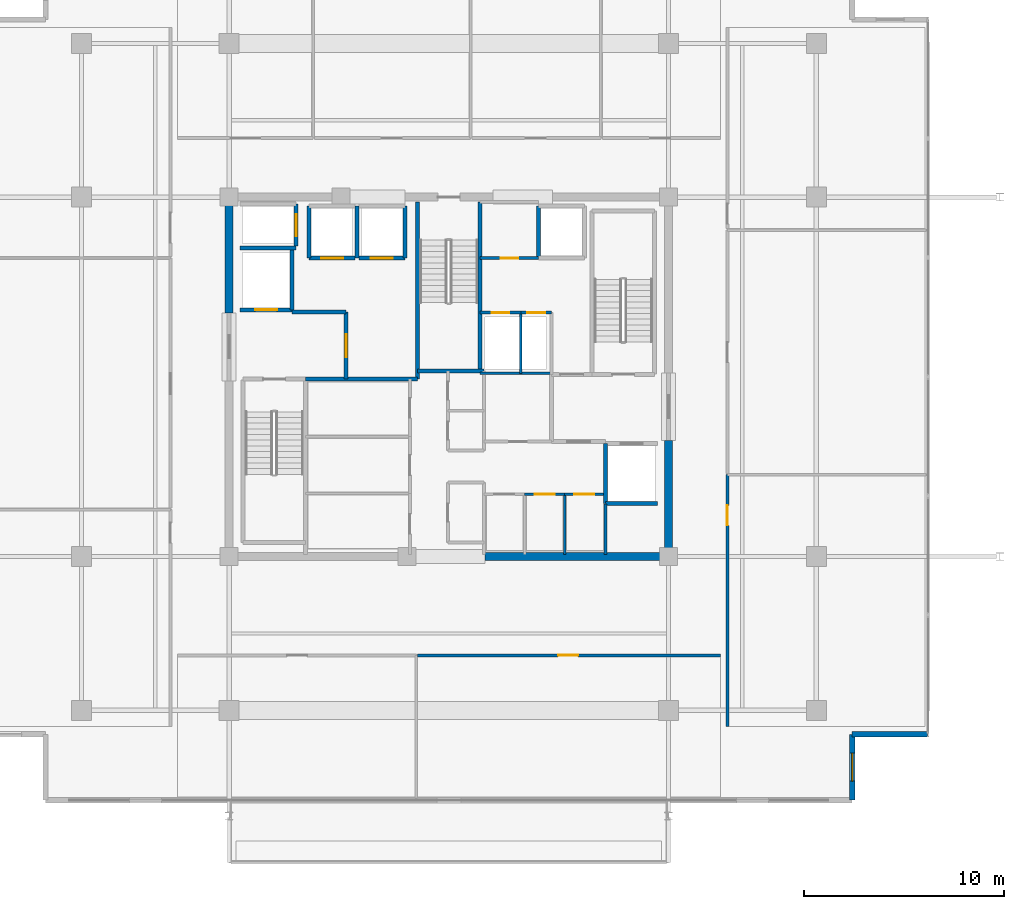
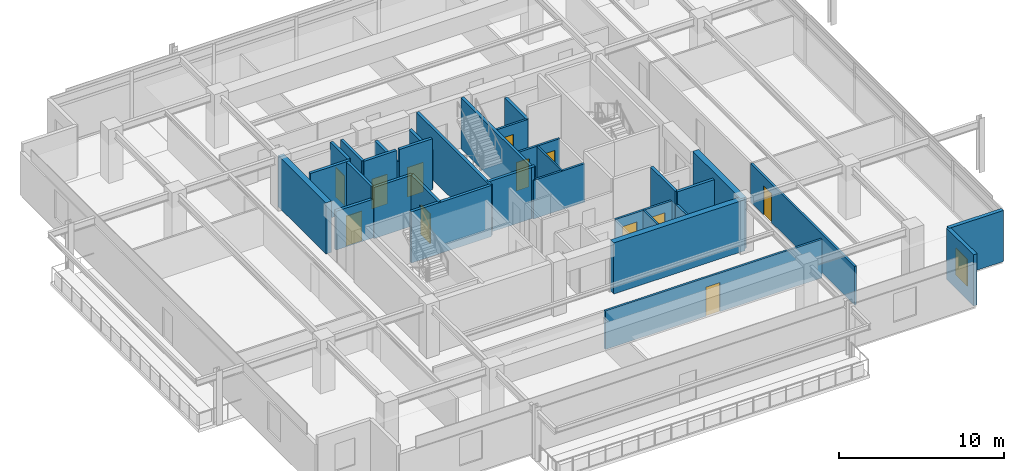
# One storey, part 14 of 20: 34 walls, 12 doors, 1 window, 13 openings.
"""IFC4 building model written with IfcOpenShell, lengths in metres."""

from ifc_helpers import new_model, si_unit, direction, frame, frame_2d, origin, place, context, subcontext, project, spatial, rectangle, extrude, material, layer, layer_set, type_object, element, fill, save


model = new_model("IFC4")

# Units and contexts
model_context = context("Model", 3, precision=1e-05, world=origin(), true_north=direction((0.0, 1.0)))
body_context = subcontext(model_context, "Body", "Model", "MODEL_VIEW")
ifc_project = project(units=[si_unit("LENGTHUNIT", "METRE"), si_unit("AREAUNIT", "SQUARE_METRE"), si_unit("VOLUMEUNIT", "CUBIC_METRE"), si_unit("PLANEANGLEUNIT", "RADIAN"), si_unit("MASSUNIT", "GRAM", prefix="KILO")], contexts=[model_context])

# Site, building, storey
site_placement = place(None, origin())
site = spatial("IfcSite", under=ifc_project, at=site_placement, CompositionType="ELEMENT")
building_placement = place(site_placement, origin())
building = spatial("IfcBuilding", under=site, at=building_placement, Name="Kovane Verandah Tower", CompositionType="ELEMENT")
storey_placement = place(building_placement, frame((0.0, 0.0, 306.800048828125)))
storey = spatial("IfcBuildingStorey", under=building, at=storey_placement, Name="L71", CompositionType="ELEMENT", Elevation=306.800048828125)

# Walls
ifc_material_1 = material(Name="Fire-Rated Gypsum Stud Partition", Category="gypsum")
ifc_layer_1 = layer(ifc_material_1, 0.14990234375)
ifc_layer_set_1 = layer_set([ifc_layer_1], Name="Fire-Rated Gypsum Stud Partition")
wall_type_1 = type_object("IfcWallType", Name="WL-COR-150", PredefinedType="PARTITIONING", material=ifc_layer_set_1)
wall_1_placement = place(storey_placement, frame((41.56005859375, 27.679931640625, 0.0), z_axis=(0.0, 0.0, 1.0), x_axis=(1.0, 0.0, 0.0)))
element("IfcWall", 1, at=wall_1_placement, inside=storey, type_object=wall_type_1, Name="L71 East Core Service Riser South Wall", PredefinedType="PARTITIONING", context=body_context, shape_type="SweptSolid", body=[
    extrude(rectangle(XDim=3.58984375, YDim=0.14990234375, at=frame_2d((1.794921875, 0.0))), origin(), (0.0, 0.0, 1.0), 2.849853515625),
])
wall_2_placement = place(storey_placement, frame((47.85009765625, 18.60009765625, 0.0), z_axis=(0.0, 0.0, 1.0), x_axis=(0.0, 1.0, 0.0)))
element("IfcWall", 2, at=wall_2_placement, inside=storey, type_object=wall_type_1, Name="L71 East Core Support East Wall", PredefinedType="PARTITIONING", context=body_context, shape_type="SweptSolid", body=[
    extrude(rectangle(XDim=2.539794921875, YDim=0.14990234375, at=frame_2d((1.27001953125, 0.0))), origin(), (0.0, 0.0, 1.0), 2.849853515625),
])

# Wall, opening, door
wall_3_placement = place(storey_placement, frame((43.800048828125, 21.6201171875, 0.0), z_axis=(0.0, 0.0, 1.0), x_axis=(1.0, 0.0, 0.0)))
wall_3 = element("IfcWall", 3, at=wall_3_placement, inside=storey, type_object=wall_type_1, Name="L71 First Aid Room Partition", PredefinedType="PARTITIONING", context=body_context, shape_type="SweptSolid", body=[
    extrude(rectangle(XDim=2.0, YDim=0.14990234375, at=frame_2d((1.0, 0.0))), origin(), (0.0, 0.0, 1.0), 2.849853515625),
])
opening_1_placement = place(wall_3_placement, frame((0.5, 0.0, 0.0)))
opening_1 = element("IfcOpeningElement", 4, at=opening_1_placement, cuts=wall_3, Name="Opening DR-L71-018", PredefinedType="OPENING", context=body_context, shape_type="SweptSolid", body=[
    extrude(rectangle(XDim=1.0, YDim=2.14990234375, at=frame_2d((0.5, 1.074951171875))), frame((0.0, 0.074951171875, 0.0), z_axis=(0.0, -1.0, 0.0), x_axis=(1.0, 0.0, 0.0)), (0.0, 0.0, 1.0), 0.14990234375),
])
ifc_material_2 = material(Name="FSC Spotted-Gum Timber Fire-Rated Office Door", Category="wood")
door_type_1 = type_object("IfcDoorType", Name="DR-OFF-1000", OperationType="SINGLE_SWING_LEFT", PredefinedType="DOOR", material=ifc_material_2)
door_1_placement = place(opening_1_placement, origin())
door_1 = element("IfcDoor", 5, at=door_1_placement, inside=storey, type_object=door_type_1, Name="L71 First Aid Room Door", OperationType="SINGLE_SWING_LEFT", OverallHeight=2.14990234375, OverallWidth=1.0, PredefinedType="DOOR", context=body_context, shape_type="SweptSolid", body=[
    extrude(rectangle(XDim=1.0, YDim=2.14990234375, at=frame_2d((0.5, 1.074951171875))), frame((0.0, 0.02490234375, 0.0), z_axis=(0.0, -1.0, 0.0), x_axis=(1.0, 0.0, 0.0)), (0.0, 0.0, 1.0), 0.050048828125),
])
fill(opening_1, door_1)

wall_4_placement = place(storey_placement, frame((45.800048828125, 21.6201171875, 0.0), z_axis=(0.0, 0.0, 1.0), x_axis=(1.0, 0.0, 0.0)))
wall_4 = element("IfcWall", 6, at=wall_4_placement, inside=storey, type_object=wall_type_1, Name="L71 Quiet Wellness Room Partition", PredefinedType="PARTITIONING", context=body_context, shape_type="SweptSolid", body=[
    extrude(rectangle(XDim=1.93994140625, YDim=0.14990234375, at=frame_2d((0.969970703125, 0.0))), origin(), (0.0, 0.0, 1.0), 2.849853515625),
])
opening_2_placement = place(wall_4_placement, frame((0.469970703125, 0.0, 0.0)))
opening_2 = element("IfcOpeningElement", 7, at=opening_2_placement, cuts=wall_4, Name="Opening DR-L71-019", PredefinedType="OPENING", context=body_context, shape_type="SweptSolid", body=[
    extrude(rectangle(XDim=1.0, YDim=2.14990234375, at=frame_2d((0.5, 1.074951171875))), frame((0.0, 0.074951171875, 0.0), z_axis=(0.0, -1.0, 0.0), x_axis=(1.0, 0.0, 0.0)), (0.0, 0.0, 1.0), 0.14990234375),
])
door_2_placement = place(opening_2_placement, origin())
door_2 = element("IfcDoor", 8, at=door_2_placement, inside=storey, type_object=door_type_1, Name="L71 Quiet Wellness Room Door", OperationType="SINGLE_SWING_RIGHT", OverallHeight=2.14990234375, OverallWidth=1.0, PredefinedType="DOOR", context=body_context, shape_type="SweptSolid", body=[
    extrude(rectangle(XDim=1.0, YDim=2.14990234375, at=frame_2d((0.5, 1.074951171875))), frame((0.0, 0.02490234375, 0.0), z_axis=(0.0, -1.0, 0.0), x_axis=(1.0, 0.0, 0.0)), (0.0, 0.0, 1.0), 0.050048828125),
])
fill(opening_2, door_2)

wall_5_placement = place(storey_placement, frame((41.56005859375, 30.719970703125, 0.0), z_axis=(0.0, 0.0, 1.0), x_axis=(1.0, 0.0, 0.0)))
wall_5 = element("IfcWall", 9, at=wall_5_placement, inside=storey, type_object=wall_type_1, Name="L71 Electrical Sub-Main Riser Room Partition", PredefinedType="PARTITIONING", context=body_context, shape_type="SweptSolid", body=[
    extrude(rectangle(XDim=2.0400390625, YDim=0.14990234375, at=frame_2d((1.02001953125, 0.0))), origin(), (0.0, 0.0, 1.0), 2.849853515625),
])
opening_3_placement = place(wall_5_placement, frame((0.580078125, 0.0, 0.0)))
opening_3 = element("IfcOpeningElement", 10, at=opening_3_placement, cuts=wall_5, Name="Opening DR-L71-022", PredefinedType="OPENING", context=body_context, shape_type="SweptSolid", body=[
    extrude(rectangle(XDim=0.8798828125, YDim=2.10009765625, at=frame_2d((0.43994140625, 1.050048828125))), frame((0.0, 0.074951171875, 0.0), z_axis=(0.0, -1.0, 0.0), x_axis=(1.0, 0.0, 0.0)), (0.0, 0.0, 1.0), 0.14990234375),
])
ifc_material_3 = material(Name="Fire-Rated Steel Riser Access Door", Category="steel")
door_type_2 = type_object("IfcDoorType", Name="DR-RISER-880", OperationType="SINGLE_SWING_LEFT", PredefinedType="DOOR", material=ifc_material_3)
door_3_placement = place(opening_3_placement, origin())
door_3 = element("IfcDoor", 11, at=door_3_placement, inside=storey, type_object=door_type_2, Name="L71 Electrical Sub-Main Riser Room Door", OperationType="SINGLE_SWING_RIGHT", OverallHeight=2.10009765625, OverallWidth=0.8798828125, PredefinedType="DOOR", context=body_context, shape_type="SweptSolid", body=[
    extrude(rectangle(XDim=0.8798828125, YDim=2.10009765625, at=frame_2d((0.43994140625, 1.050048828125))), frame((0.0, 0.02490234375, 0.0), z_axis=(0.0, -1.0, 0.0), x_axis=(1.0, 0.0, 0.0)), (0.0, 0.0, 1.0), 0.050048828125),
])
fill(opening_3, door_3)

wall_6_placement = place(storey_placement, frame((43.60009765625, 30.719970703125, 0.0), z_axis=(0.0, 0.0, 1.0), x_axis=(1.0, 0.0, 0.0)))
wall_6 = element("IfcWall", 12, at=wall_6_placement, inside=storey, type_object=wall_type_1, Name="L71 Sprinkler Wet Riser Room Partition", PredefinedType="PARTITIONING", context=body_context, shape_type="SweptSolid", body=[
    extrude(rectangle(XDim=1.5498046875, YDim=0.14990234375, at=frame_2d((0.77490234375, 0.0))), origin(), (0.0, 0.0, 1.0), 2.849853515625),
])
opening_4_placement = place(wall_6_placement, frame((0.3349609375, 0.0, 0.0)))
opening_4 = element("IfcOpeningElement", 13, at=opening_4_placement, cuts=wall_6, Name="Opening DR-L71-023", PredefinedType="OPENING", context=body_context, shape_type="SweptSolid", body=[
    extrude(rectangle(XDim=0.8798828125, YDim=2.10009765625, at=frame_2d((0.43994140625, 1.050048828125))), frame((0.0, 0.074951171875, 0.0), z_axis=(0.0, -1.0, 0.0), x_axis=(1.0, 0.0, 0.0)), (0.0, 0.0, 1.0), 0.14990234375),
])
door_4_placement = place(opening_4_placement, origin())
door_4 = element("IfcDoor", 14, at=door_4_placement, inside=storey, type_object=door_type_2, Name="L71 Sprinkler Wet Riser Room Door", OperationType="SINGLE_SWING_LEFT", OverallHeight=2.10009765625, OverallWidth=0.8798828125, PredefinedType="DOOR", context=body_context, shape_type="SweptSolid", body=[
    extrude(rectangle(XDim=0.8798828125, YDim=2.10009765625, at=frame_2d((0.43994140625, 1.050048828125))), frame((0.0, 0.02490234375, 0.0), z_axis=(0.0, -1.0, 0.0), x_axis=(1.0, 0.0, 0.0)), (0.0, 0.0, 1.0), 0.050048828125),
])
fill(opening_4, door_4)

wall_7_placement = place(storey_placement, frame((41.56005859375, 33.449951171875, 0.0), z_axis=(0.0, 0.0, 1.0), x_axis=(1.0, 0.0, 0.0)))
wall_7 = element("IfcWall", 15, at=wall_7_placement, inside=storey, type_object=wall_type_1, Name="L71 Sky Telecom Riser Room Partition", PredefinedType="PARTITIONING", context=body_context, shape_type="SweptSolid", body=[
    extrude(rectangle(XDim=2.93994140625, YDim=0.14990234375, at=frame_2d((1.469970703125, 0.0))), origin(), (0.0, 0.0, 1.0), 2.849853515625),
])
opening_5_placement = place(wall_7_placement, frame((1.030029296875, 0.0, 0.0)))
opening_5 = element("IfcOpeningElement", 16, at=opening_5_placement, cuts=wall_7, Name="Opening DR-L71-021", PredefinedType="OPENING", context=body_context, shape_type="SweptSolid", body=[
    extrude(rectangle(XDim=0.8798828125, YDim=2.10009765625, at=frame_2d((0.43994140625, 1.050048828125))), frame((0.0, 0.074951171875, 0.0), z_axis=(0.0, -1.0, 0.0), x_axis=(1.0, 0.0, 0.0)), (0.0, 0.0, 1.0), 0.14990234375),
])
door_5_placement = place(opening_5_placement, origin())
door_5 = element("IfcDoor", 17, at=door_5_placement, inside=storey, type_object=door_type_2, Name="L71 Sky Telecom Riser Room Door", OperationType="SINGLE_SWING_RIGHT", OverallHeight=2.10009765625, OverallWidth=0.8798828125, PredefinedType="DOOR", context=body_context, shape_type="SweptSolid", body=[
    extrude(rectangle(XDim=0.8798828125, YDim=2.10009765625, at=frame_2d((0.43994140625, 1.050048828125))), frame((0.0, 0.02490234375, 0.0), z_axis=(0.0, -1.0, 0.0), x_axis=(1.0, 0.0, 0.0)), (0.0, 0.0, 1.0), 0.050048828125),
])
fill(opening_5, door_5)

wall_8_placement = place(storey_placement, frame((38.43798828125, 13.550048828125, 0.0), z_axis=(0.0, 0.0, 1.0), x_axis=(1.0, 0.0, 0.0)))
wall_8 = element("IfcWall", 18, at=wall_8_placement, inside=storey, type_object=wall_type_1, Name="L71 Document and Print Room S2 Corridor Partition", PredefinedType="PARTITIONING", context=body_context, shape_type="SweptSolid", body=[
    extrude(rectangle(XDim=15.162109375, YDim=0.14990234375, at=frame_2d((7.5810546875, 0.0))), origin(), (0.0, 0.0, 1.0), 2.849853515625),
])
opening_6_placement = place(wall_8_placement, frame((7.031005859375, 0.0, 0.0)))
opening_6 = element("IfcOpeningElement", 19, at=opening_6_placement, cuts=wall_8, Name="Opening DR-L71-029", PredefinedType="OPENING", context=body_context, shape_type="SweptSolid", body=[
    extrude(rectangle(XDim=1.0, YDim=2.14990234375, at=frame_2d((0.5, 1.074951171875))), frame((0.0, 0.074951171875, 0.0), z_axis=(0.0, -1.0, 0.0), x_axis=(1.0, 0.0, 0.0)), (0.0, 0.0, 1.0), 0.14990234375),
])
door_6_placement = place(opening_6_placement, origin())
door_6 = element("IfcDoor", 20, at=door_6_placement, inside=storey, type_object=door_type_1, Name="L71 Document and Print Room S2 Entrance Door", OperationType="SINGLE_SWING_RIGHT", OverallHeight=2.14990234375, OverallWidth=1.0, PredefinedType="DOOR", context=body_context, shape_type="SweptSolid", body=[
    extrude(rectangle(XDim=1.0, YDim=2.14990234375, at=frame_2d((0.5, 1.074951171875))), frame((0.0, 0.02490234375, 0.0), z_axis=(0.0, -1.0, 0.0), x_axis=(1.0, 0.0, 0.0)), (0.0, 0.0, 1.0), 0.050048828125),
])
fill(opening_6, door_6)

wall_9_placement = place(storey_placement, frame((53.949951171875, 10.0, 0.0), z_axis=(0.0, 0.0, 1.0), x_axis=(0.0, 1.0, 0.0)))
wall_9 = element("IfcWall", 21, at=wall_9_placement, inside=storey, type_object=wall_type_1, Name="L71 Meeting Room E1 Corridor Partition", PredefinedType="PARTITIONING", context=body_context, shape_type="SweptSolid", body=[
    extrude(rectangle(XDim=12.60009765625, YDim=0.14990234375, at=frame_2d((6.300048828125, 0.0))), origin(), (0.0, 0.0, 1.0), 2.849853515625),
])
opening_7_placement = place(wall_9_placement, frame((10.06494140625, 0.0, 0.0)))
opening_7 = element("IfcOpeningElement", 22, at=opening_7_placement, cuts=wall_9, Name="Opening DR-L71-011", PredefinedType="OPENING", context=body_context, shape_type="SweptSolid", body=[
    extrude(rectangle(XDim=1.0, YDim=2.14990234375, at=frame_2d((0.5, 1.074951171875))), frame((0.0, 0.074951171875, 0.0), z_axis=(0.0, -1.0, 0.0), x_axis=(1.0, 0.0, 0.0)), (0.0, 0.0, 1.0), 0.14990234375),
])
door_7_placement = place(opening_7_placement, origin())
door_7 = element("IfcDoor", 23, at=door_7_placement, inside=storey, type_object=door_type_1, Name="L71 Meeting Room E1 Entrance Door", OperationType="SINGLE_SWING_RIGHT", OverallHeight=2.14990234375, OverallWidth=1.0, PredefinedType="DOOR", context=body_context, shape_type="SweptSolid", body=[
    extrude(rectangle(XDim=1.0, YDim=2.14990234375, at=frame_2d((0.5, 1.074951171875))), frame((0.0, 0.02490234375, 0.0), z_axis=(0.0, -1.0, 0.0), x_axis=(1.0, 0.0, 0.0)), (0.0, 0.0, 1.0), 0.050048828125),
])
fill(opening_7, door_7)

# Walls
ifc_material_4 = material(Name="Concrete C60/75", Category="concrete")
ifc_layer_2 = layer(ifc_material_4, 0.39990234375)
ifc_layer_set_2 = layer_set([ifc_layer_2], Name="Concrete C60/75")
wall_type_2 = type_object("IfcWallType", Name="WL-CORE-400", PredefinedType="SHEAR", material=ifc_layer_set_2)
wall_10_placement = place(storey_placement, frame((41.800048828125, 18.5, 0.0), z_axis=(0.0, 0.0, 1.0), x_axis=(1.0, 0.0, 0.0)))
element("IfcWall", 24, at=wall_10_placement, inside=storey, type_object=wall_type_2, Name="L71 Core Shear Wall CS-2", PredefinedType="SHEAR", context=body_context, shape_type="SweptSolid", body=[
    extrude(rectangle(XDim=9.199951171875, YDim=0.39990234375, at=frame_2d((4.60009765625, 0.0))), origin(), (0.0, 0.0, 1.0), 3.784912109375),
])
for number, where, z_axis, x_axis, name in (
    (25, (29.0, 30.699951171875, 0.0), (0.0, 0.0, 1.0), (0.0, 1.0, 0.0), "L71 Core Shear Wall CW-2"),
    (26, (51.0, 18.5, 0.0), (0.0, 0.0, 1.0), (0.0, 1.0, 0.0), "L71 Core Shear Wall CE-1"),
):
    element("IfcWall", number, at=place(storey_placement, frame(where, z_axis=z_axis, x_axis=x_axis)), inside=storey, type_object=wall_type_2, Name=name, PredefinedType="SHEAR", context=body_context, shape_type="SweptSolid", body=[
        extrude(rectangle(XDim=5.800048828125, YDim=0.39990234375, at=frame_2d((2.89990234375, 0.0))), origin(), (0.0, 0.0, 1.0), 3.784912109375),
    ])

# Wall, opening, door
ifc_material_5 = material(Name="Concrete C45/55 Fire Wall", Category="concrete")
ifc_layer_3 = layer(ifc_material_5, 0.199951171875)
ifc_layer_set_3 = layer_set([ifc_layer_3], Name="Concrete C45/55 Fire Wall")
wall_type_3 = type_object("IfcWallType", Name="WL-FFL-200", PredefinedType="PARTITIONING", material=ifc_layer_set_3)
wall_11_placement = place(storey_placement, frame((34.85009765625, 27.3798828125, 0.0), z_axis=(0.0, 0.0, 1.0), x_axis=(0.0, 1.0, 0.0)))
wall_11 = element("IfcWall", 27, at=wall_11_placement, inside=storey, type_object=wall_type_3, Name="W-L71-FFLW-E", PredefinedType="PARTITIONING", context=body_context, shape_type="SweptSolid", body=[
    extrude(rectangle(XDim=3.3701171875, YDim=0.199951171875, at=frame_2d((1.68505859375, 0.0))), origin(), (0.0, 0.0, 1.0), 3.784912109375),
])
opening_8_placement = place(wall_11_placement, frame((1.110107421875, 0.0, 0.0)))
opening_8 = element("IfcOpeningElement", 28, at=opening_8_placement, cuts=wall_11, Name="Opening DR-L71-006", PredefinedType="OPENING", context=body_context, shape_type="SweptSolid", body=[
    extrude(rectangle(XDim=1.14990234375, YDim=2.199951171875, at=frame_2d((0.574951171875, 1.10009765625))), frame((0.0, 0.10009765625, 0.0), z_axis=(0.0, -1.0, 0.0), x_axis=(1.0, 0.0, 0.0)), (0.0, 0.0, 1.0), 0.199951171875),
])
ifc_material_6 = material(Name="Smoke-Sealed Firefighting Lobby Door", Category="steel")
door_type_3 = type_object("IfcDoorType", Name="DR-FFL-1150", OperationType="SINGLE_SWING_LEFT", PredefinedType="DOOR", material=ifc_material_6)
door_8_placement = place(opening_8_placement, origin())
door_8 = element("IfcDoor", 29, at=door_8_placement, inside=storey, type_object=door_type_3, Name="L71 West Firefighting Lobby Inner Door", OperationType="SINGLE_SWING_LEFT", OverallHeight=2.199951171875, OverallWidth=1.14990234375, PredefinedType="DOOR", context=body_context, shape_type="SweptSolid", body=[
    extrude(rectangle(XDim=1.14990234375, YDim=2.199951171875, at=frame_2d((0.574951171875, 1.10009765625))), frame((0.0, 0.02490234375, 0.0), z_axis=(0.0, -1.0, 0.0), x_axis=(1.0, 0.0, 0.0)), (0.0, 0.0, 1.0), 0.050048828125),
])
fill(opening_8, door_8)

# Walls
wall_12_placement = place(storey_placement, frame((32.820068359375, 27.3798828125, 0.0), z_axis=(0.0, 0.0, 1.0), x_axis=(1.0, 0.0, 0.0)))
element("IfcWall", 30, at=wall_12_placement, inside=storey, type_object=wall_type_3, Name="L71 West Firefighting Lobby South Fire Wall", PredefinedType="PARTITIONING", context=body_context, shape_type="SweptSolid", body=[
    extrude(rectangle(XDim=5.619873046875, YDim=0.199951171875, at=frame_2d((2.81005859375, 0.0))), origin(), (0.0, 0.0, 1.0), 3.784912109375),
])
wall_13_placement = place(storey_placement, frame((32.14990234375, 30.75, 0.0), z_axis=(0.0, 0.0, 1.0), x_axis=(1.0, 0.0, 0.0)))
element("IfcWall", 31, at=wall_13_placement, inside=storey, type_object=wall_type_3, Name="L71 West Firefighting Lobby North Fire Wall", PredefinedType="PARTITIONING", context=body_context, shape_type="SweptSolid", body=[
    extrude(rectangle(XDim=2.7001953125, YDim=0.199951171875, at=frame_2d((1.35009765625, 0.0))), origin(), (0.0, 0.0, 1.0), 3.784912109375),
])

# Wall, opening, door
ifc_material_7 = material(Name="Concrete C45/55 Lift Shaft Wall", Category="concrete")
ifc_layer_4 = layer(ifc_material_7, 0.199951171875)
ifc_layer_set_4 = layer_set([ifc_layer_4], Name="Concrete C45/55 Lift Shaft Wall")
wall_type_4 = type_object("IfcWallType", Name="WL-LIFT-200", PredefinedType="SOLIDWALL", material=ifc_layer_set_4)
wall_14_placement = place(storey_placement, frame((29.550048828125, 30.85009765625, 0.0), z_axis=(0.0, 0.0, 1.0), x_axis=(1.0, 0.0, 0.0)))
wall_14 = element("IfcWall", 32, at=wall_14_placement, inside=storey, type_object=wall_type_4, Name="L71 Lift FL-01 S Shaft Wall", PredefinedType="SOLIDWALL", context=body_context, shape_type="SweptSolid", body=[
    extrude(rectangle(XDim=2.599853515625, YDim=0.199951171875, at=frame_2d((1.2998046875, 0.0))), origin(), (0.0, 0.0, 1.0), 2.864990234375),
])
opening_9_placement = place(wall_14_placement, frame((0.75, 0.0, 0.0)))
opening_9 = element("IfcOpeningElement", 33, at=opening_9_placement, cuts=wall_14, Name="Opening LD-L71-001", PredefinedType="OPENING", context=body_context, shape_type="SweptSolid", body=[
    extrude(rectangle(XDim=1.10009765625, YDim=2.199951171875, at=frame_2d((0.550048828125, 1.10009765625))), frame((0.0, 0.10009765625, 0.0), z_axis=(0.0, -1.0, 0.0), x_axis=(1.0, 0.0, 0.0)), (0.0, 0.0, 1.0), 0.199951171875),
])
ifc_material_8 = material(Name="Brushed Stainless Steel Sliding Lift Landing Door", Category="steel")
door_type_4 = type_object("IfcDoorType", Name="DR-LIFT-1100", OperationType="SLIDING_TO_RIGHT", PredefinedType="DOOR", material=ifc_material_8)
door_9_placement = place(opening_9_placement, origin())
door_9 = element("IfcDoor", 34, at=door_9_placement, inside=storey, type_object=door_type_4, Name="L71 Lift FL-01 Sliding Landing Door", OperationType="SLIDING_TO_RIGHT", OverallHeight=2.199951171875, OverallWidth=1.10009765625, PredefinedType="DOOR", context=body_context, shape_type="SweptSolid", body=[
    extrude(rectangle(XDim=1.10009765625, YDim=2.199951171875, at=frame_2d((0.550048828125, 1.10009765625))), frame((0.0, 0.02490234375, 0.0), z_axis=(0.0, -1.0, 0.0), x_axis=(1.0, 0.0, 0.0)), (0.0, 0.0, 1.0), 0.050048828125),
])
fill(opening_9, door_9)

# Walls
wall_15_placement = place(storey_placement, frame((29.550048828125, 33.949951171875, 0.0), z_axis=(0.0, 0.0, 1.0), x_axis=(1.0, 0.0, 0.0)))
element("IfcWall", 35, at=wall_15_placement, inside=storey, type_object=wall_type_4, Name="L71 Lift FL-01 and GL-01 Shared Shaft Wall", PredefinedType="SOLIDWALL", context=body_context, shape_type="SweptSolid", body=[
    extrude(rectangle(XDim=2.800048828125, YDim=0.199951171875, at=frame_2d((1.39990234375, 0.0))), origin(), (0.0, 0.0, 1.0), 3.784912109375),
])
wall_16_placement = place(storey_placement, frame((32.14990234375, 30.85009765625, 0.0), z_axis=(0.0, 0.0, 1.0), x_axis=(0.0, 1.0, 0.0)))
element("IfcWall", 36, at=wall_16_placement, inside=storey, type_object=wall_type_4, Name="L71 Lift FL-01 E Shaft Wall", PredefinedType="SOLIDWALL", context=body_context, shape_type="SweptSolid", body=[
    extrude(rectangle(XDim=3.0, YDim=0.199951171875, at=frame_2d((1.5, 0.0))), origin(), (0.0, 0.0, 1.0), 3.784912109375),
])
wall_17_placement = place(storey_placement, frame((47.85009765625, 21.14990234375, 0.0), z_axis=(0.0, 0.0, 1.0), x_axis=(1.0, 0.0, 0.0)))
element("IfcWall", 37, at=wall_17_placement, inside=storey, type_object=wall_type_4, Name="L71 Lift FL-02 S Shaft Wall", PredefinedType="SOLIDWALL", context=body_context, shape_type="SweptSolid", body=[
    extrude(rectangle(XDim=2.599853515625, YDim=0.199951171875, at=frame_2d((1.2998046875, 0.0))), origin(), (0.0, 0.0, 1.0), 3.784912109375),
])
wall_18_placement = place(storey_placement, frame((47.85009765625, 24.14990234375, 0.0), z_axis=(0.0, 0.0, 1.0), x_axis=(0.0, -1.0, 0.0)))
element("IfcWall", 38, at=wall_18_placement, inside=storey, type_object=wall_type_4, Name="L71 Lift FL-02 W Shaft Wall", PredefinedType="SOLIDWALL", context=body_context, shape_type="SweptSolid", body=[
    extrude(rectangle(XDim=3.0, YDim=0.199951171875, at=frame_2d((1.5, 0.0))), origin(), (0.0, 0.0, 1.0), 3.784912109375),
])

# Wall, opening, door
wall_19_placement = place(storey_placement, frame((32.35009765625, 34.050048828125, 0.0), z_axis=(0.0, 0.0, 1.0), x_axis=(0.0, 1.0, 0.0)))
wall_19 = element("IfcWall", 39, at=wall_19_placement, inside=storey, type_object=wall_type_4, Name="L71 Lift GL-01 E Shaft Wall", PredefinedType="SOLIDWALL", context=body_context, shape_type="SweptSolid", body=[
    extrude(rectangle(XDim=2.099853515625, YDim=0.199951171875, at=frame_2d((1.0498046875, 0.0))), origin(), (0.0, 0.0, 1.0), 3.784912109375),
])
opening_10_placement = place(wall_19_placement, frame((0.5, 0.0, 0.0)))
opening_10 = element("IfcOpeningElement", 40, at=opening_10_placement, cuts=wall_19, Name="Opening LD-L71-003", PredefinedType="OPENING", context=body_context, shape_type="SweptSolid", body=[
    extrude(rectangle(XDim=1.10009765625, YDim=2.199951171875, at=frame_2d((0.550048828125, 1.10009765625))), frame((0.0, 0.10009765625, 0.0), z_axis=(0.0, -1.0, 0.0), x_axis=(1.0, 0.0, 0.0)), (0.0, 0.0, 1.0), 0.199951171875),
])
door_10_placement = place(opening_10_placement, origin())
door_10 = element("IfcDoor", 41, at=door_10_placement, inside=storey, type_object=door_type_4, Name="L71 Lift GL-01 Sliding Landing Door", OperationType="SLIDING_TO_RIGHT", OverallHeight=2.199951171875, OverallWidth=1.10009765625, PredefinedType="DOOR", context=body_context, shape_type="SweptSolid", body=[
    extrude(rectangle(XDim=1.10009765625, YDim=2.199951171875, at=frame_2d((0.550048828125, 1.10009765625))), frame((0.0, 0.02490234375, 0.0), z_axis=(0.0, -1.0, 0.0), x_axis=(1.0, 0.0, 0.0)), (0.0, 0.0, 1.0), 0.050048828125),
])
fill(opening_10, door_10)

wall_20_placement = place(storey_placement, frame((33.0, 33.449951171875, 0.0), z_axis=(0.0, 0.0, 1.0), x_axis=(1.0, 0.0, 0.0)))
wall_20 = element("IfcWall", 42, at=wall_20_placement, inside=storey, type_object=wall_type_4, Name="L71 Lift PL-H1 S Shaft Wall", PredefinedType="SOLIDWALL", context=body_context, shape_type="SweptSolid", body=[
    extrude(rectangle(XDim=2.300048828125, YDim=0.199951171875, at=frame_2d((1.14990234375, 0.0))), origin(), (0.0, 0.0, 1.0), 3.784912109375),
])
opening_11_placement = place(wall_20_placement, frame((0.60009765625, 0.0, 0.0)))
opening_11 = element("IfcOpeningElement", 43, at=opening_11_placement, cuts=wall_20, Name="Opening LD-L71-004", PredefinedType="OPENING", context=body_context, shape_type="SweptSolid", body=[
    extrude(rectangle(XDim=1.10009765625, YDim=2.199951171875, at=frame_2d((0.550048828125, 1.10009765625))), frame((0.0, 0.10009765625, 0.0), z_axis=(0.0, -1.0, 0.0), x_axis=(1.0, 0.0, 0.0)), (0.0, 0.0, 1.0), 0.199951171875),
])
door_11_placement = place(opening_11_placement, origin())
door_11 = element("IfcDoor", 44, at=door_11_placement, inside=storey, type_object=door_type_4, Name="L71 Lift PL-H1 Sliding Landing Door", OperationType="SLIDING_TO_RIGHT", OverallHeight=2.199951171875, OverallWidth=1.10009765625, PredefinedType="DOOR", context=body_context, shape_type="SweptSolid", body=[
    extrude(rectangle(XDim=1.10009765625, YDim=2.199951171875, at=frame_2d((0.550048828125, 1.10009765625))), frame((0.0, 0.02490234375, 0.0), z_axis=(0.0, -1.0, 0.0), x_axis=(1.0, 0.0, 0.0)), (0.0, 0.0, 1.0), 0.050048828125),
])
fill(opening_11, door_11)

# Walls
wall_21_placement = place(storey_placement, frame((33.0, 36.050048828125, 0.0), z_axis=(0.0, 0.0, 1.0), x_axis=(0.0, -1.0, 0.0)))
element("IfcWall", 45, at=wall_21_placement, inside=storey, type_object=wall_type_4, Name="L71 Lift PL-H1 W Shaft Wall", PredefinedType="SOLIDWALL", context=body_context, shape_type="SweptSolid", body=[
    extrude(rectangle(XDim=2.60009765625, YDim=0.199951171875, at=frame_2d((1.300048828125, 0.0))), origin(), (0.0, 0.0, 1.0), 3.784912109375),
])
wall_22_placement = place(storey_placement, frame((35.39990234375, 33.449951171875, 0.0), z_axis=(0.0, 0.0, 1.0), x_axis=(0.0, 1.0, 0.0)))
element("IfcWall", 46, at=wall_22_placement, inside=storey, type_object=wall_type_4, Name="L71 Lift PL-H1 and PL-H2 Shared Shaft Wall", PredefinedType="SOLIDWALL", context=body_context, shape_type="SweptSolid", body=[
    extrude(rectangle(XDim=2.60009765625, YDim=0.199951171875, at=frame_2d((1.300048828125, 0.0))), origin(), (0.0, 0.0, 1.0), 2.864990234375),
])

# Wall, opening, door
wall_23_placement = place(storey_placement, frame((35.5, 33.449951171875, 0.0), z_axis=(0.0, 0.0, 1.0), x_axis=(1.0, 0.0, 0.0)))
wall_23 = element("IfcWall", 47, at=wall_23_placement, inside=storey, type_object=wall_type_4, Name="L71 Lift PL-H2 S Shaft Wall", PredefinedType="SOLIDWALL", context=body_context, shape_type="SweptSolid", body=[
    extrude(rectangle(XDim=2.300048828125, YDim=0.199951171875, at=frame_2d((1.14990234375, 0.0))), origin(), (0.0, 0.0, 1.0), 3.784912109375),
])
opening_12_placement = place(wall_23_placement, frame((0.60009765625, 0.0, 0.0)))
opening_12 = element("IfcOpeningElement", 48, at=opening_12_placement, cuts=wall_23, Name="Opening LD-L71-005", PredefinedType="OPENING", context=body_context, shape_type="SweptSolid", body=[
    extrude(rectangle(XDim=1.10009765625, YDim=2.199951171875, at=frame_2d((0.550048828125, 1.10009765625))), frame((0.0, 0.10009765625, 0.0), z_axis=(0.0, -1.0, 0.0), x_axis=(1.0, 0.0, 0.0)), (0.0, 0.0, 1.0), 0.199951171875),
])
door_12_placement = place(opening_12_placement, origin())
door_12 = element("IfcDoor", 49, at=door_12_placement, inside=storey, type_object=door_type_4, Name="L71 Lift PL-H2 Sliding Landing Door", OperationType="SLIDING_TO_RIGHT", OverallHeight=2.199951171875, OverallWidth=1.10009765625, PredefinedType="DOOR", context=body_context, shape_type="SweptSolid", body=[
    extrude(rectangle(XDim=1.10009765625, YDim=2.199951171875, at=frame_2d((0.550048828125, 1.10009765625))), frame((0.0, 0.02490234375, 0.0), z_axis=(0.0, -1.0, 0.0), x_axis=(1.0, 0.0, 0.0)), (0.0, 0.0, 1.0), 0.050048828125),
])
fill(opening_12, door_12)

# Walls
for number, where, z_axis, x_axis, name in (
    (50, (37.800048828125, 33.449951171875, 0.0), (0.0, 0.0, 1.0), (0.0, 1.0, 0.0), "L71 Lift PL-H2 E Shaft Wall"),
    (51, (44.5, 36.050048828125, 0.0), (0.0, 0.0, 1.0), (0.0, -1.0, 0.0), "L71 Lift OL-01 W Shaft Wall"),
):
    element("IfcWall", number, at=place(storey_placement, frame(where, z_axis=z_axis, x_axis=x_axis)), inside=storey, type_object=wall_type_4, Name=name, PredefinedType="SOLIDWALL", context=body_context, shape_type="SweptSolid", body=[
        extrude(rectangle(XDim=2.60009765625, YDim=0.199951171875, at=frame_2d((1.300048828125, 0.0))), origin(), (0.0, 0.0, 1.0), 2.864990234375),
    ])
ifc_material_9 = material(Name="Acoustic Fire-Rated Gypsum Partition", Category="gypsum")
ifc_layer_5 = layer(ifc_material_9, 0.1201171875)
ifc_layer_set_5 = layer_set([ifc_layer_5], Name="Acoustic Fire-Rated Gypsum Partition")
wall_type_5 = type_object("IfcWallType", Name="WL-PART-120", PredefinedType="PARTITIONING", material=ifc_layer_set_5)
wall_24_placement = place(storey_placement, frame((45.800048828125, 18.60009765625, 0.0), z_axis=(0.0, 0.0, 1.0), x_axis=(0.0, 1.0, 0.0)))
element("IfcWall", 52, at=wall_24_placement, inside=storey, type_object=wall_type_5, Name="L71 East Core Support Dividing Partition 2", PredefinedType="PARTITIONING", context=body_context, shape_type="SweptSolid", body=[
    extrude(rectangle(XDim=3.02001953125, YDim=0.1201171875, at=frame_2d((1.510009765625, 0.0))), origin(), (0.0, 0.0, 1.0), 2.849853515625),
])
wall_25_placement = place(storey_placement, frame((43.60009765625, 27.679931640625, 0.0), z_axis=(0.0, 0.0, 1.0), x_axis=(0.0, 1.0, 0.0)))
element("IfcWall", 53, at=wall_25_placement, inside=storey, type_object=wall_type_5, Name="L71 Service Riser Dividing Partition", PredefinedType="PARTITIONING", context=body_context, shape_type="SweptSolid", body=[
    extrude(rectangle(XDim=3.0400390625, YDim=0.1201171875, at=frame_2d((1.52001953125, 0.0))), origin(), (0.0, 0.0, 1.0), 2.849853515625),
])
ifc_material_10 = material(Name="Concrete C45/55", Category="concrete")
ifc_layer_6 = layer(ifc_material_10, 0.199951171875)
ifc_layer_set_6 = layer_set([ifc_layer_6], Name="Concrete C45/55")
wall_type_6 = type_object("IfcWallType", Name="WL-SHAFT-200", PredefinedType="SOLIDWALL", material=ifc_layer_set_6)
wall_26_placement = place(storey_placement, frame((38.43994140625, 27.3798828125, 0.0), z_axis=(0.0, 0.0, 1.0), x_axis=(0.0, 1.0, 0.0)))
element("IfcWall", 54, at=wall_26_placement, inside=storey, type_object=wall_type_6, Name="W-L71-ST03-W", PredefinedType="SOLIDWALL", context=body_context, shape_type="SweptSolid", body=[
    extrude(rectangle(XDim=8.8701171875, YDim=0.199951171875, at=frame_2d((4.43505859375, 0.0))), origin(), (0.0, 0.0, 1.0), 3.784912109375),
])
wall_27_placement = place(storey_placement, frame((41.56005859375, 27.679931640625, 0.0), z_axis=(0.0, 0.0, 1.0), x_axis=(0.0, 1.0, 0.0)))
element("IfcWall", 55, at=wall_27_placement, inside=storey, type_object=wall_type_6, Name="W-L71-ST03-E", PredefinedType="SOLIDWALL", context=body_context, shape_type="SweptSolid", body=[
    extrude(rectangle(XDim=8.570068359375, YDim=0.199951171875, at=frame_2d((4.28515625, 0.0))), origin(), (0.0, 0.0, 1.0), 3.784912109375),
])
wall_28_placement = place(storey_placement, frame((38.43994140625, 27.800048828125, 0.0), z_axis=(0.0, 0.0, 1.0), x_axis=(1.0, 0.0, 0.0)))
element("IfcWall", 56, at=wall_28_placement, inside=storey, type_object=wall_type_6, Name="W-L71-ST03-S", PredefinedType="SOLIDWALL", context=body_context, shape_type="SweptSolid", body=[
    extrude(rectangle(XDim=3.320068359375, YDim=0.199951171875, at=frame_2d((1.66015625, 0.0))), origin(), (0.0, 0.0, 1.0), 3.784912109375),
])

# Wall, opening, window
ifc_material_11 = material(Name="Concrete C45/55 Insulated Spandrel Wall", Category="concrete")
ifc_layer_7 = layer(ifc_material_11, 0.260009765625)
ifc_layer_set_7 = layer_set([ifc_layer_7], Name="Concrete C45/55 Insulated Spandrel Wall")
wall_type_7 = type_object("IfcWallType", Name="WL-SPANDREL-260", PredefinedType="PARAPET", material=ifc_layer_set_7)
wall_29_placement = place(storey_placement, frame((60.199951171875, 6.300048828125, 0.0), z_axis=(0.0, 0.0, 1.0), x_axis=(0.0, 1.0, 0.0)))
wall_29 = element("IfcWall", 57, at=wall_29_placement, inside=storey, type_object=wall_type_7, Name="L71 SE Notch Cheek Wall 1", PredefinedType="PARAPET", context=body_context, shape_type="SweptSolid", body=[
    extrude(rectangle(XDim=3.300048828125, YDim=0.260009765625, at=frame_2d((1.64990234375, 0.0))), origin(), (0.0, 0.0, 1.0), 3.784912109375),
])
opening_13_placement = place(wall_29_placement, frame((0.949951171875, 0.0, 0.85009765625)))
opening_13 = element("IfcOpeningElement", 58, at=opening_13_placement, cuts=wall_29, Name="Opening W-01", PredefinedType="OPENING", context=body_context, shape_type="SweptSolid", body=[
    extrude(rectangle(XDim=1.39990234375, YDim=2.0, at=frame_2d((0.699951171875, 1.0))), frame((0.0, 0.1298828125, 0.0), z_axis=(0.0, -1.0, 0.0), x_axis=(1.0, 0.0, 0.0)), (0.0, 0.0, 1.0), 0.260009765625),
])
ifc_material_12 = material(Name="Clear Low-E Laminated Double Glazing in Anodised Frame", Category="glass")
window_type = type_object("IfcWindowType", Name="WN-OPER-1400x2000", PartitioningType="SINGLE_PANEL", PredefinedType="WINDOW", material=ifc_material_12)
window_placement = place(opening_13_placement, origin())
window = element("IfcWindow", 59, at=window_placement, inside=storey, type_object=window_type, Name="L71 SE Re-Entrant Corner Operable Window", OverallHeight=2.0, OverallWidth=1.39990234375, PartitioningType="SINGLE_PANEL", PredefinedType="WINDOW", context=body_context, shape_type="SweptSolid", body=[
    extrude(rectangle(XDim=1.39990234375, YDim=2.0, at=frame_2d((0.699951171875, 1.0))), frame((0.0, 0.030029296875, 0.0), z_axis=(0.0, -1.0, 0.0), x_axis=(1.0, 0.0, 0.0)), (0.0, 0.0, 1.0), 0.06005859375),
])
fill(opening_13, window)

# Wall
wall_30_placement = place(storey_placement, frame((60.199951171875, 9.60009765625, 0.0), z_axis=(0.0, 0.0, 1.0), x_axis=(1.0, 0.0, 0.0)))
element("IfcWall", 60, at=wall_30_placement, inside=storey, type_object=wall_type_7, Name="L71 SE Notch Cheek Wall 2", PredefinedType="PARAPET", context=body_context, shape_type="SweptSolid", body=[
    extrude(rectangle(XDim=3.800048828125, YDim=0.260009765625, at=frame_2d((1.89990234375, 0.0))), origin(), (0.0, 0.0, 1.0), 3.784912109375),
])

save(model, "model.ifc")
